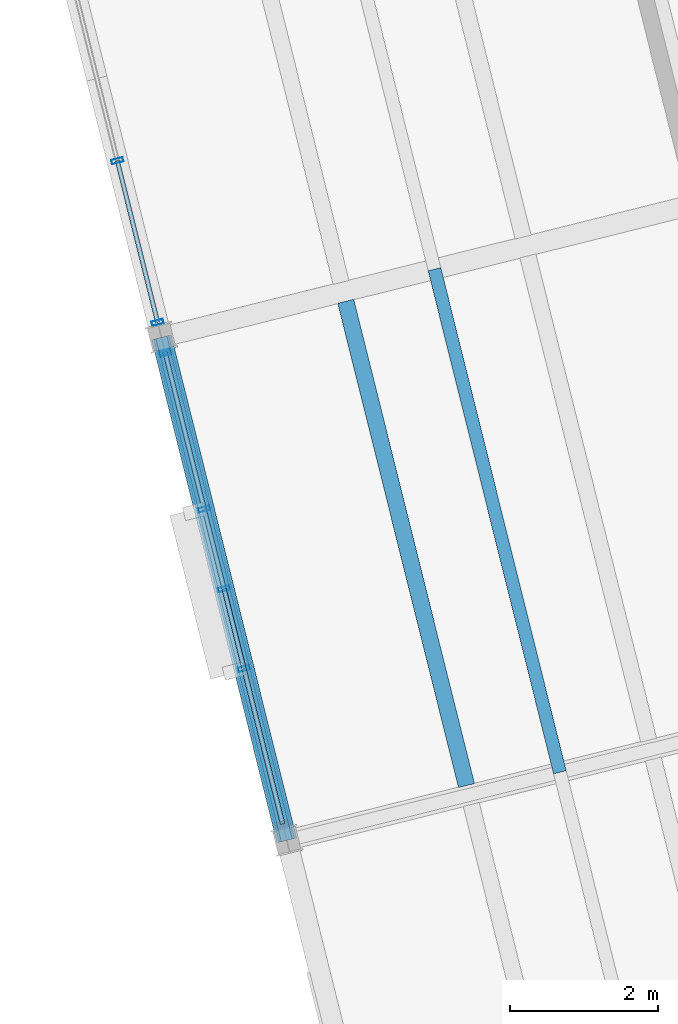
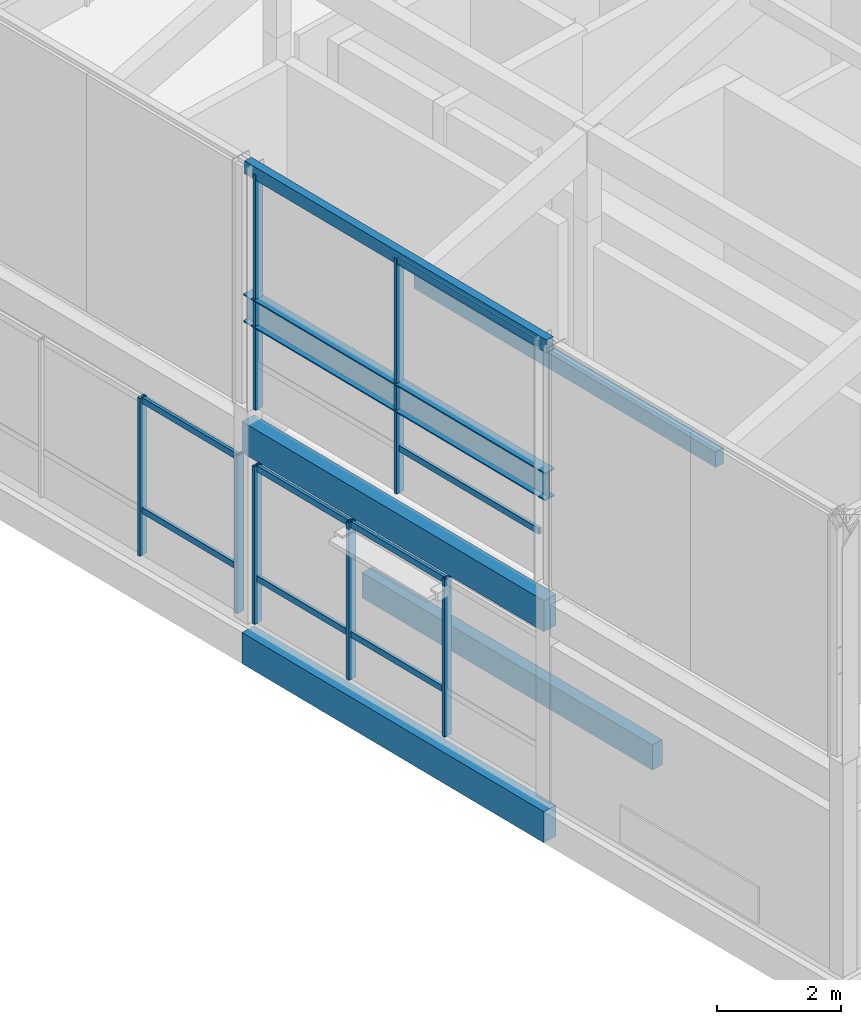
# One storey, part 6 of 31: 16 members, 5 beams, 3 elements without a shape of their own.
"""IFC4 building model written with IfcOpenShell, lengths in metres."""

from ifc_helpers import new_model, si_unit, direction, frame, origin, origin_2d, place, context, subcontext, project, spatial, rectangle, hollow_rectangle, i_section, extrude, material, layer, layer_set, material_profile, profile_set, type_object, element, aggregate, save


model = new_model("IFC4")

# Units and contexts
model_context = context("Model", 3, precision=1e-05, world=origin(), true_north=direction((0.0, 1.0)))
body_context = subcontext(model_context, "Body", "Model", "MODEL_VIEW")
ifc_project = project(units=[si_unit("LENGTHUNIT", "METRE"), si_unit("AREAUNIT", "SQUARE_METRE"), si_unit("VOLUMEUNIT", "CUBIC_METRE"), si_unit("PLANEANGLEUNIT", "RADIAN"), si_unit("MASSUNIT", "GRAM", prefix="KILO")], contexts=[model_context])

# Site, building, storey
site_placement = place(None, origin())
site = spatial("IfcSite", under=ifc_project, at=site_placement, CompositionType="ELEMENT")
building_placement = place(site_placement, origin())
building = spatial("IfcBuilding", under=site, at=building_placement, Name="Meriwether Solvik Hall", CompositionType="ELEMENT")
storey_placement = place(building_placement, frame((0.0, 0.0, 61.199951171875)))
storey = spatial("IfcBuildingStorey", under=building, at=storey_placement, Name="L15", CompositionType="ELEMENT", Elevation=61.199951171875)

# Beams
ifc_material_1 = material(Name="Glulam Douglas-Fir 24F-V8 GL28h", Category="wood")
ifc_material_profile_1 = material_profile(ifc_material_1, rectangle(XDim=0.27294921875, YDim=0.610107421875, at=origin_2d()), Name="GLB-273X610")
ifc_profile_set_1 = profile_set([ifc_material_profile_1], Name="Glulam Douglas-Fir 24F-V8 GL28h")
beam_type_1 = type_object("IfcBeamType", Name="BM-GL-273X610", PredefinedType="SPANDREL", material=ifc_profile_set_1)
for number, where, z_axis, x_axis, name in (
    (1, (66.954833984375, 47.798095703125, -0.550048828125), (-0.241911879182, 0.970298223594, 0.0), (-0.970298223594, -0.241911879182, 0.0), "Tower Girder T1:TB-TC (L15)"),
    (2, (66.954833984375, 47.798095703125, 3.59912109375), (-0.241911879182, 0.970298223594, 0.0), (-0.970298223594, -0.241911879182, 0.0), "Roof Tie Beam T1:TB-TC"),
):
    element("IfcBeam", number, at=place(storey_placement, frame(where, z_axis=z_axis, x_axis=x_axis)), inside=storey, type_object=beam_type_1, Name=name, PredefinedType="SPANDREL", context=body_context, shape_type="SweptSolid", body=[
        extrude(rectangle(XDim=0.27294921875, YDim=0.610107421875, at=origin_2d()), origin(), (0.0, 0.0, 1.0), 7.0),
    ])
ifc_material_2 = material(Name="Steel A500 Grade C", Category="steel")
ifc_material_profile_2 = material_profile(ifc_material_2, hollow_rectangle(XDim=0.152099609375, YDim=0.25390625, WallThickness=0.009521484375, at=origin_2d()), Name="HSS254X152X9.5")
ifc_profile_set_2 = profile_set([ifc_material_profile_2], Name="Steel A500 Grade C")
beam_type_2 = type_object("IfcBeamType", Name="BM-STL-HSS254", PredefinedType="SPANDREL", material=ifc_profile_set_2)
beam_1_placement = place(storey_placement, frame((65.261474609375, 54.590087890625, 8.873046875), z_axis=(0.241911879182, -0.970298223594, 0.0), x_axis=(0.970298223594, 0.241911879182, 0.0)))
element("IfcBeam", 3, at=beam_1_placement, inside=storey, type_object=beam_type_2, Name="Crown Cap Ring Beam T1TC-T1TB", PredefinedType="SPANDREL", context=body_context, shape_type="SweptSolid", body=[
    extrude(hollow_rectangle(XDim=0.152099609375, YDim=0.25390625, WallThickness=0.009521484375, at=origin_2d()), origin(), (0.0, 0.0, 1.0), 7.0),
])
ifc_material_3 = material(Name="Steel A992 Grade 50", Category="steel")
ifc_material_profile_3 = material_profile(ifc_material_3, i_section(OverallWidth=0.214111328125, OverallDepth=0.549072265625, WebThickness=0.0146484375, FlangeThickness=0.023681640625, at=origin_2d()), Name="W21X93")
ifc_profile_set_3 = profile_set([ifc_material_profile_3], Name="Steel A992 Grade 50")
beam_type_3 = type_object("IfcBeamType", Name="BM-STL-W21X93", PredefinedType="SPANDREL", material=ifc_profile_set_3)
beam_2_placement = place(storey_placement, frame((65.261474609375, 54.590087890625, 6.12548828125), z_axis=(0.241911879182, -0.970298223594, 0.0), x_axis=(0.970298223594, 0.241911879182, 0.0)))
element("IfcBeam", 4, at=beam_2_placement, inside=storey, type_object=beam_type_3, Name="Crown Wind Girt Beam T1TC-T1TB", PredefinedType="SPANDREL", context=body_context, shape_type="SweptSolid", body=[
    extrude(i_section(OverallWidth=0.214111328125, OverallDepth=0.549072265625, WebThickness=0.0146484375, FlangeThickness=0.023681640625, at=origin_2d()), origin(), (0.0, 0.0, 1.0), 7.0),
])

# Curtain wall, members
ifc_material_4 = material(Name="Thermally Broken Anodised Aluminium 6063-T6 and Low-E Glass", Category="aluminium")
ifc_layer_1 = layer(ifc_material_4, 0.179931640625)
ifc_layer_set_1 = layer_set([ifc_layer_1], Name="Thermally Broken Anodised Aluminium 6063-T6 and Low-E Glass")
curtain_wall_type_1 = type_object("IfcCurtainWallType", Name="CW-UNIT-C", PredefinedType="USERDEFINED", material=ifc_layer_set_1)
curtain_wall_1_placement = place(storey_placement, origin())
curtain_wall_1 = element("IfcCurtainWall", 5, at=curtain_wall_1_placement, inside=storey, type_object=curtain_wall_type_1, Name="Curtain Wall E3_B1 (L15)", ObjectType="UNITISED CURTAIN WALL", PredefinedType="USERDEFINED")
ifc_material_5 = material(Name="Anodised Aluminium 6063-T6", Category="aluminium")
ifc_material_profile_4 = material_profile(ifc_material_5, hollow_rectangle(XDim=0.06005859375, YDim=0.159912109375, WallThickness=0.00390625, at=origin_2d()), Name="CWM-60X160")
ifc_profile_set_4 = profile_set([ifc_material_profile_4], Name="Anodised Aluminium 6063-T6")
member_type_1 = type_object("IfcMemberType", Name="CW-MUL-60X160", PredefinedType="MULLION", material=ifc_profile_set_4)
member_1_placement = place(storey_placement, frame((66.376708984375, 50.116943359375, 0.0), z_axis=(0.0, 0.0, 1.0), x_axis=(-0.241921784185, 0.970295754055, 0.0)))
member_1 = element("IfcMember", 6, at=member_1_placement, type_object=member_type_1, Name="Curtain Wall Mullion 2", PredefinedType="MULLION", context=body_context, shape_type="SweptSolid", body=[
    extrude(hollow_rectangle(XDim=0.06005859375, YDim=0.159912109375, WallThickness=0.00390625, at=origin_2d()), origin(), (0.0, 0.0, 1.0), 3.10205078125),
])
member_2_placement = place(storey_placement, frame((65.839599609375, 52.271240234375, 0.0), z_axis=(0.0, 0.0, 1.0), x_axis=(-0.241921784185, 0.970295754055, 0.0)))
member_2 = element("IfcMember", 7, at=member_2_placement, type_object=member_type_1, Name="Curtain Wall Mullion 3", PredefinedType="MULLION", context=body_context, shape_type="SweptSolid", body=[
    extrude(hollow_rectangle(XDim=0.06005859375, YDim=0.159912109375, WallThickness=0.00390625, at=origin_2d()), origin(), (0.0, 0.0, 1.0), 3.10205078125),
])
member_3_placement = place(storey_placement, frame((65.311767578125, 54.388671875, 0.0), z_axis=(0.0, 0.0, 1.0), x_axis=(-0.241921784185, 0.970295754055, 0.0)))
member_3 = element("IfcMember", 8, at=member_3_placement, type_object=member_type_1, Name="Curtain Wall Mullion 4", PredefinedType="MULLION", context=body_context, shape_type="SweptSolid", body=[
    extrude(hollow_rectangle(XDim=0.06005859375, YDim=0.159912109375, WallThickness=0.00390625, at=origin_2d()), origin(), (0.0, 0.0, 1.0), 3.10205078125),
])

ifc_material_6 = material(Name="Thermally Broken Anodised Aluminium 6063-T6 and Low-E Glass", Category="aluminium")
ifc_layer_2 = layer(ifc_material_6, 0.179931640625)
ifc_layer_set_2 = layer_set([ifc_layer_2], Name="Thermally Broken Anodised Aluminium 6063-T6 and Low-E Glass")
curtain_wall_type_2 = type_object("IfcCurtainWallType", Name="CW-UNIT-D", PredefinedType="USERDEFINED", material=ifc_layer_set_2)
curtain_wall_2_placement = place(storey_placement, origin())
curtain_wall_2 = element("IfcCurtainWall", 9, at=curtain_wall_2_placement, inside=storey, type_object=curtain_wall_type_2, Name="Curtain Wall E3_B2 (L15)", ObjectType="UNITISED CURTAIN WALL", PredefinedType="USERDEFINED")
member_4_placement = place(storey_placement, frame((65.211181640625, 54.79150390625, 0.0), z_axis=(0.0, 0.0, 1.0), x_axis=(-0.241921877598, 0.970295730764, 0.0)))
member_4 = element("IfcMember", 10, at=member_4_placement, type_object=member_type_1, Name="Curtain Wall Mullion 1", PredefinedType="MULLION", context=body_context, shape_type="SweptSolid", body=[
    extrude(hollow_rectangle(XDim=0.06005859375, YDim=0.159912109375, WallThickness=0.00390625, at=origin_2d()), origin(), (0.0, 0.0, 1.0), 3.10205078125),
])
member_5_placement = place(storey_placement, frame((64.667236328125, 56.9736328125, 0.0), z_axis=(0.0, 0.0, 1.0), x_axis=(-0.241921877598, 0.970295730764, 0.0)))
member_5 = element("IfcMember", 11, at=member_5_placement, type_object=member_type_1, Name="Curtain Wall Mullion 2", PredefinedType="MULLION", context=body_context, shape_type="SweptSolid", body=[
    extrude(hollow_rectangle(XDim=0.06005859375, YDim=0.159912109375, WallThickness=0.00390625, at=origin_2d()), origin(), (0.0, 0.0, 1.0), 3.10205078125),
])

ifc_material_7 = material(Name="Thermally Broken Anodised Aluminium 6063-T6 and Low-E Glass", Category="aluminium")
ifc_layer_3 = layer(ifc_material_7, 0.179931640625)
ifc_layer_set_3 = layer_set([ifc_layer_3], Name="Thermally Broken Anodised Aluminium 6063-T6 and Low-E Glass")
curtain_wall_type_3 = type_object("IfcCurtainWallType", Name="CW-CROWN-GL", PredefinedType="USERDEFINED", material=ifc_layer_set_3)
curtain_wall_3_placement = place(storey_placement, origin())
curtain_wall_3 = element("IfcCurtainWall", 12, at=curtain_wall_3_placement, inside=storey, type_object=curtain_wall_type_3, Name="Curtain Wall crown_W_3 (L15)", ObjectType="UNITISED CURTAIN WALL", PredefinedType="USERDEFINED")
member_6_placement = place(storey_placement, frame((65.316650390625, 54.368896484375, 4.219970703125), z_axis=(0.0, 0.0, 1.0), x_axis=(0.241923171709, -0.970295408105, 0.0)))
member_6 = element("IfcMember", 13, at=member_6_placement, type_object=member_type_1, Name="Curtain Wall Mullion 1", PredefinedType="MULLION", context=body_context, shape_type="SweptSolid", body=[
    extrude(hollow_rectangle(XDim=0.06005859375, YDim=0.159912109375, WallThickness=0.00390625, at=origin_2d()), origin(), (0.0, 0.0, 1.0), 4.630126953125),
])
member_7_placement = place(storey_placement, frame((66.108154296875, 51.194091796875, 4.219970703125), z_axis=(0.0, 0.0, 1.0), x_axis=(0.241923171709, -0.970295408105, 0.0)))
member_7 = element("IfcMember", 14, at=member_7_placement, type_object=member_type_1, Name="Curtain Wall Mullion 2", PredefinedType="MULLION", context=body_context, shape_type="SweptSolid", body=[
    extrude(hollow_rectangle(XDim=0.06005859375, YDim=0.159912109375, WallThickness=0.00390625, at=origin_2d()), origin(), (0.0, 0.0, 1.0), 4.630126953125),
])

# Member
ifc_material_8 = material(Name="Anodised Aluminium 6063-T6", Category="aluminium")
ifc_material_profile_5 = material_profile(ifc_material_8, hollow_rectangle(XDim=0.06005859375, YDim=0.1201171875, WallThickness=0.00390625, at=origin_2d()), Name="CWT-60X120")
ifc_profile_set_5 = profile_set([ifc_material_profile_5], Name="Anodised Aluminium 6063-T6")
member_type_2 = type_object("IfcMemberType", Name="CW-TRN-60X120", PredefinedType="USERDEFINED", material=ifc_profile_set_5)
member_8_placement = place(storey_placement, frame((66.376708984375, 50.116943359375, 0.880126953125), z_axis=(-0.241914618046, 0.970297540745, 0.0), x_axis=(-0.970297540745, -0.241914618046, 0.0)))
member_8 = element("IfcMember", 15, at=member_8_placement, type_object=member_type_2, Name="Curtain Wall Transom 2-sill", ObjectType="TRANSOM", PredefinedType="USERDEFINED", context=body_context, shape_type="SweptSolid", body=[
    extrude(hollow_rectangle(XDim=0.06005859375, YDim=0.1201171875, WallThickness=0.00390625, at=origin_2d()), origin(), (0.0, 0.0, 1.0), 2.22021484375),
])

member_9_placement = place(storey_placement, frame((66.376708984375, 50.116943359375, 3.0419921875), z_axis=(-0.241914618046, 0.970297540745, 0.0), x_axis=(-0.970297540745, -0.241914618046, 0.0)))
member_9 = element("IfcMember", 16, at=member_9_placement, type_object=member_type_2, Name="Curtain Wall Transom 2-head", ObjectType="TRANSOM", PredefinedType="USERDEFINED", context=body_context, shape_type="SweptSolid", body=[
    extrude(hollow_rectangle(XDim=0.06005859375, YDim=0.1201171875, WallThickness=0.00390625, at=origin_2d()), origin(), (0.0, 0.0, 1.0), 2.22021484375),
])

member_10_placement = place(storey_placement, frame((65.839599609375, 52.271240234375, 0.880126953125), z_axis=(-0.241877470874, 0.970306801524, 0.0), x_axis=(-0.970306801524, -0.241877470874, 0.0)))
member_10 = element("IfcMember", 17, at=member_10_placement, type_object=member_type_2, Name="Curtain Wall Transom 3-sill", ObjectType="TRANSOM", PredefinedType="USERDEFINED", context=body_context, shape_type="SweptSolid", body=[
    extrude(hollow_rectangle(XDim=0.06005859375, YDim=0.1201171875, WallThickness=0.00390625, at=origin_2d()), origin(), (0.0, 0.0, 1.0), 2.18212890625),
])

member_11_placement = place(storey_placement, frame((65.839599609375, 52.271240234375, 3.0419921875), z_axis=(-0.241877470874, 0.970306801524, 0.0), x_axis=(-0.970306801524, -0.241877470874, 0.0)))
member_11 = element("IfcMember", 18, at=member_11_placement, type_object=member_type_2, Name="Curtain Wall Transom 3-head", ObjectType="TRANSOM", PredefinedType="USERDEFINED", context=body_context, shape_type="SweptSolid", body=[
    extrude(hollow_rectangle(XDim=0.06005859375, YDim=0.1201171875, WallThickness=0.00390625, at=origin_2d()), origin(), (0.0, 0.0, 1.0), 2.18212890625),
])

aggregate(curtain_wall_1, [member_1, member_2, member_3, member_8, member_9, member_10, member_11])

member_12_placement = place(storey_placement, frame((65.211181640625, 54.79150390625, 0.880126953125), z_axis=(-0.241871437108, 0.970308305597, 0.0), x_axis=(-0.970308305597, -0.241871437108, 0.0)))
member_12 = element("IfcMember", 19, at=member_12_placement, type_object=member_type_2, Name="Curtain Wall Transom 1-sill", ObjectType="TRANSOM", PredefinedType="USERDEFINED", context=body_context, shape_type="SweptSolid", body=[
    extrude(hollow_rectangle(XDim=0.06005859375, YDim=0.1201171875, WallThickness=0.00390625, at=origin_2d()), origin(), (0.0, 0.0, 1.0), 2.2490234375),
])

member_13_placement = place(storey_placement, frame((65.211181640625, 54.79150390625, 3.0419921875), z_axis=(-0.241871437108, 0.970308305597, 0.0), x_axis=(-0.970308305597, -0.241871437108, 0.0)))
member_13 = element("IfcMember", 20, at=member_13_placement, type_object=member_type_2, Name="Curtain Wall Transom 1-head", ObjectType="TRANSOM", PredefinedType="USERDEFINED", context=body_context, shape_type="SweptSolid", body=[
    extrude(hollow_rectangle(XDim=0.06005859375, YDim=0.1201171875, WallThickness=0.00390625, at=origin_2d()), origin(), (0.0, 0.0, 1.0), 2.2490234375),
])

aggregate(curtain_wall_2, [member_4, member_5, member_12, member_13])

member_14_placement = place(storey_placement, frame((66.108154296875, 51.194091796875, 5.10009765625), z_axis=(0.241903536167, -0.970300303612, 0.0), x_axis=(0.970300303612, 0.241903536167, 0.0)))
member_14 = element("IfcMember", 21, at=member_14_placement, type_object=member_type_2, Name="Curtain Wall Transom 2-sill", ObjectType="TRANSOM", PredefinedType="USERDEFINED", context=body_context, shape_type="SweptSolid", body=[
    extrude(hollow_rectangle(XDim=0.06005859375, YDim=0.1201171875, WallThickness=0.00390625, at=origin_2d()), origin(), (0.0, 0.0, 1.0), 3.27197265625),
])

member_15_placement = place(storey_placement, frame((66.108154296875, 51.194091796875, 8.7900390625), z_axis=(0.241903536167, -0.970300303612, 0.0), x_axis=(0.970300303612, 0.241903536167, 0.0)))
member_15 = element("IfcMember", 22, at=member_15_placement, type_object=member_type_2, Name="Curtain Wall Transom 2-head", ObjectType="TRANSOM", PredefinedType="USERDEFINED", context=body_context, shape_type="SweptSolid", body=[
    extrude(hollow_rectangle(XDim=0.06005859375, YDim=0.1201171875, WallThickness=0.00390625, at=origin_2d()), origin(), (0.0, 0.0, 1.0), 3.27197265625),
])

aggregate(curtain_wall_3, [member_6, member_7, member_14, member_15])

# Beam
ifc_material_9 = material(Name="Glulam Douglas-Fir 24F-V8 GL28h", Category="wood")
ifc_material_profile_6 = material_profile(ifc_material_9, rectangle(XDim=0.221923828125, YDim=0.4951171875, at=origin_2d()), Name="GLJ-222X495")
ifc_profile_set_6 = profile_set([ifc_material_profile_6], Name="Glulam Douglas-Fir 24F-V8 GL28h")
beam_type_4 = type_object("IfcBeamType", Name="JST-GL-222X495", PredefinedType="JOIST", material=ifc_profile_set_6)
beam_3_placement = place(storey_placement, frame((69.381103515625, 48.53857421875, -0.492431640625), z_axis=(-0.241930176813, 0.9702936615, 0.0), x_axis=(-0.9702936615, -0.241930176813, 0.0)))
element("IfcBeam", 23, at=beam_3_placement, inside=storey, type_object=beam_type_4, Name="Glulam Floor Joist T1/TB-J1 (L15)", PredefinedType="JOIST", context=body_context, shape_type="SweptSolid", body=[
    extrude(rectangle(XDim=0.221923828125, YDim=0.4951171875, at=origin_2d()), origin(), (0.0, 0.0, 1.0), 6.737060546875),
])

# Member
ifc_material_10 = material(Name="Glulam Douglas-Fir 24F-V8 GL28h", Category="wood")
ifc_material_profile_7 = material_profile(ifc_material_10, rectangle(XDim=0.175048828125, YDim=0.304931640625, at=origin_2d()), Name="GLM-175X305")
ifc_profile_set_7 = profile_set([ifc_material_profile_7], Name="Glulam Douglas-Fir 24F-V8 GL28h")
member_type_3 = type_object("IfcMemberType", Name="MEM-PRL-GL175", PredefinedType="PURLIN", material=ifc_profile_set_7)
member_16_placement = place(storey_placement, frame((70.64208984375, 48.71728515625, 4.80419921875), z_axis=(-0.241944715397, 0.970290036376, 0.0), x_axis=(-0.970290036376, -0.241944715397, 0.0)))
element("IfcMember", 24, at=member_16_placement, inside=storey, type_object=member_type_3, Name="Tower Roof Glulam Purlin 1.2", PredefinedType="PURLIN", context=body_context, shape_type="SweptSolid", body=[
    extrude(rectangle(XDim=0.175048828125, YDim=0.304931640625, at=origin_2d()), origin(), (0.0, 0.0, 1.0), 7.0),
])

save(model, "model.ifc")
